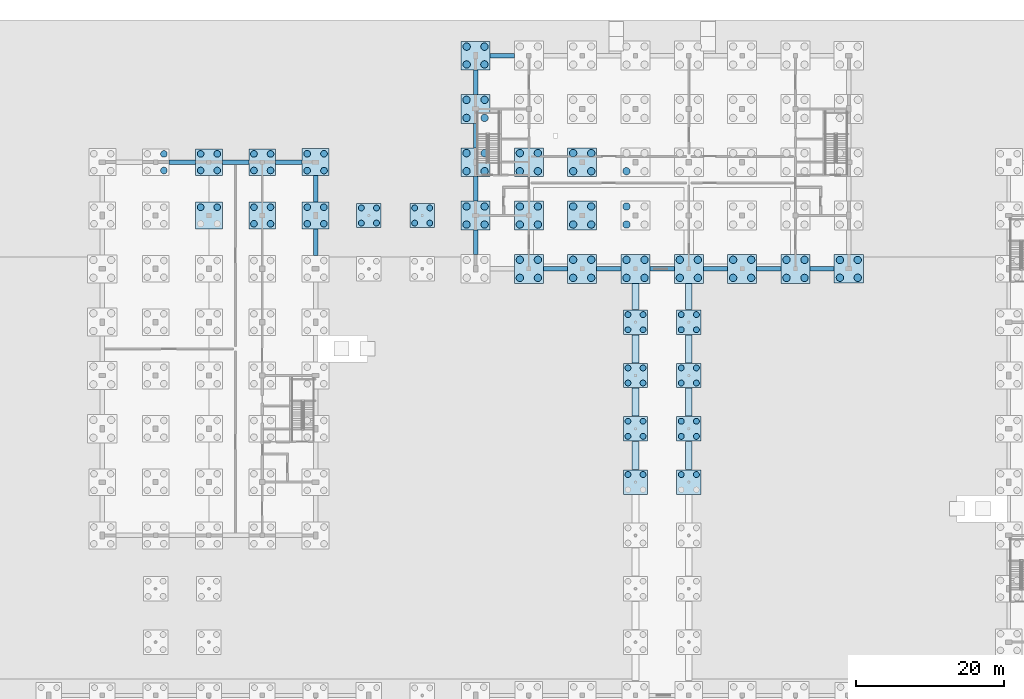
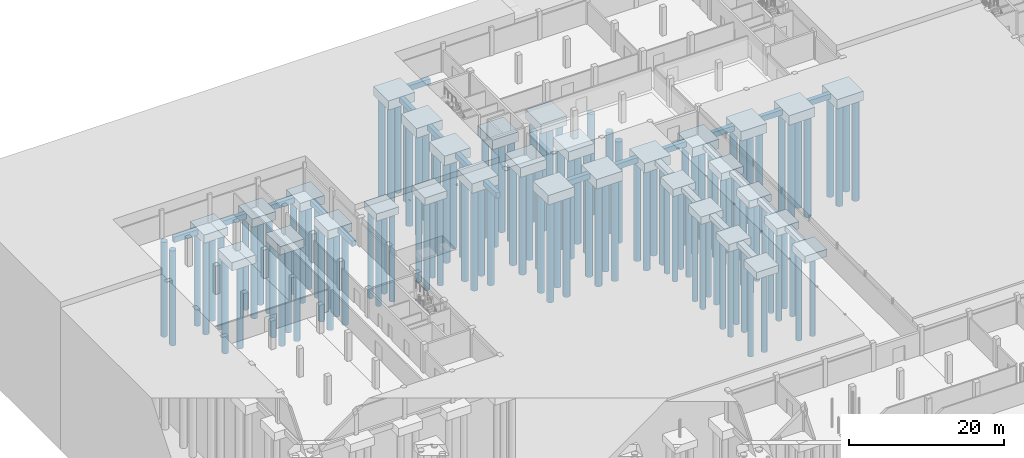
# One storey, part 5 of 51: 123 piles, 55 footings.
"""IFC4 building model written with IfcOpenShell, lengths in metres."""

from ifc_helpers import new_model, si_unit, direction, frame, origin, origin_2d, place, context, subcontext, project, spatial, rectangle, circle, extrude, material, material_profile, profile_set, type_object, element, save


model = new_model("IFC4")

# Units and contexts
model_context = context("Model", 3, precision=1e-05, world=origin(), true_north=direction((0.0, 1.0)))
body_context = subcontext(model_context, "Body", "Model", "MODEL_VIEW")
ifc_project = project(units=[si_unit("LENGTHUNIT", "METRE"), si_unit("AREAUNIT", "SQUARE_METRE"), si_unit("VOLUMEUNIT", "CUBIC_METRE"), si_unit("PLANEANGLEUNIT", "RADIAN"), si_unit("MASSUNIT", "GRAM", prefix="KILO")], contexts=[model_context])

# Site, building, storey
site_placement = place(None, origin())
site = spatial("IfcSite", under=ifc_project, at=site_placement, CompositionType="ELEMENT")
building_placement = place(site_placement, origin())
building = spatial("IfcBuilding", under=site, at=building_placement, Name="Zlatovets Crest Museum", CompositionType="ELEMENT")
storey_placement = place(building_placement, frame((0.0, 0.0, -4.5)))
storey = spatial("IfcBuildingStorey", under=building, at=storey_placement, Name="B1", CompositionType="ELEMENT", Elevation=-4.5)

# Piles
ifc_material = material(Name="Concrete C35/45", Category="concrete")
ifc_material_profile_1 = material_profile(ifc_material, circle(Radius=0.39990234375, at=origin_2d()), Name="PILE D800")
ifc_profile_set_1 = profile_set([ifc_material_profile_1], Name="Concrete C35/45")
pile_type_1 = type_object("IfcPileType", Name="BoredPile_PL-01", PredefinedType="BORED", material=ifc_profile_set_1)
for number, where, z_axis, x_axis, name in (
    (1, (42.179931640625, 92.580078125, -1.39990234375), (0.0, 0.0, -1.0), (1.0, 0.0, 0.0), "Bored pile PL-01 BR3-S1T1.1"),
    (2, (42.179931640625, 94.6201171875, -1.39990234375), (0.0, 0.0, -1.0), (1.0, 0.0, 0.0), "Bored pile PL-01 BR3-S1T1.2"),
    (3, (44.219970703125, 92.580078125, -1.39990234375), (0.0, 0.0, -1.0), (1.0, 0.0, 0.0), "Bored pile PL-01 BR3-S1T1.3"),
    (4, (44.219970703125, 94.6201171875, -1.39990234375), (0.0, 0.0, -1.0), (1.0, 0.0, 0.0), "Bored pile PL-01 BR3-S1T1.4"),
    (5, (49.3798828125, 92.580078125, -1.39990234375), (0.0, 0.0, -1.0), (1.0, 0.0, 0.0), "Bored pile PL-01 BR3-S2T1.1"),
    (6, (49.3798828125, 94.6201171875, -1.39990234375), (0.0, 0.0, -1.0), (1.0, 0.0, 0.0), "Bored pile PL-01 BR3-S2T1.2"),
    (7, (51.419921875, 92.580078125, -1.39990234375), (0.0, 0.0, -1.0), (1.0, 0.0, 0.0), "Bored pile PL-01 BR3-S2T1.3"),
    (8, (51.419921875, 94.6201171875, -1.39990234375), (0.0, 0.0, -1.0), (1.0, 0.0, 0.0), "Bored pile PL-01 BR3-S2T1.4"),
    (9, (78.179931640625, 58.6201171875, -1.39990234375), (0.0, 0.0, -1.0), (1.0, 0.0, 0.0), "Bored pile PL-01 BR5-S4T0.2"),
    (10, (80.219970703125, 58.6201171875, -1.39990234375), (0.0, 0.0, -1.0), (1.0, 0.0, 0.0), "Bored pile PL-01 BR5-S4T0.4"),
    (11, (85.3798828125, 58.6201171875, -1.39990234375), (0.0, 0.0, -1.0), (1.0, 0.0, 0.0), "Bored pile PL-01 BR5-S4T1.2"),
    (12, (87.419921875, 58.6201171875, -1.39990234375), (0.0, 0.0, -1.0), (1.0, 0.0, 0.0), "Bored pile PL-01 BR5-S4T1.4"),
    (13, (78.179931640625, 63.780029296875, -1.39990234375), (0.0, 0.0, -1.0), (1.0, 0.0, 0.0), "Bored pile PL-01 BR5-S5T0.1"),
    (14, (78.179931640625, 65.820068359375, -1.39990234375), (0.0, 0.0, -1.0), (1.0, 0.0, 0.0), "Bored pile PL-01 BR5-S5T0.2"),
    (15, (80.219970703125, 63.780029296875, -1.39990234375), (0.0, 0.0, -1.0), (1.0, 0.0, 0.0), "Bored pile PL-01 BR5-S5T0.3"),
    (16, (80.219970703125, 65.820068359375, -1.39990234375), (0.0, 0.0, -1.0), (1.0, 0.0, 0.0), "Bored pile PL-01 BR5-S5T0.4"),
    (17, (85.3798828125, 63.780029296875, -1.39990234375), (0.0, 0.0, -1.0), (1.0, 0.0, 0.0), "Bored pile PL-01 BR5-S5T1.1"),
    (18, (85.3798828125, 65.820068359375, -1.39990234375), (0.0, 0.0, -1.0), (1.0, 0.0, 0.0), "Bored pile PL-01 BR5-S5T1.2"),
    (19, (87.419921875, 63.780029296875, -1.39990234375), (0.0, 0.0, -1.0), (1.0, 0.0, 0.0), "Bored pile PL-01 BR5-S5T1.3"),
    (20, (87.419921875, 65.820068359375, -1.39990234375), (0.0, 0.0, -1.0), (1.0, 0.0, 0.0), "Bored pile PL-01 BR5-S5T1.4"),
    (21, (78.179931640625, 70.97998046875, -1.39990234375), (0.0, 0.0, -1.0), (1.0, 0.0, 0.0), "Bored pile PL-01 BR5-S6T0.1"),
    (22, (78.179931640625, 73.02001953125, -1.39990234375), (0.0, 0.0, -1.0), (1.0, 0.0, 0.0), "Bored pile PL-01 BR5-S6T0.2"),
    (23, (80.219970703125, 70.97998046875, -1.39990234375), (0.0, 0.0, -1.0), (1.0, 0.0, 0.0), "Bored pile PL-01 BR5-S6T0.3"),
    (24, (80.219970703125, 73.02001953125, -1.39990234375), (0.0, 0.0, -1.0), (1.0, 0.0, 0.0), "Bored pile PL-01 BR5-S6T0.4"),
    (25, (85.3798828125, 70.97998046875, -1.39990234375), (0.0, 0.0, -1.0), (1.0, 0.0, 0.0), "Bored pile PL-01 BR5-S6T1.1"),
    (26, (85.3798828125, 73.02001953125, -1.39990234375), (0.0, 0.0, -1.0), (1.0, 0.0, 0.0), "Bored pile PL-01 BR5-S6T1.2"),
    (27, (87.419921875, 70.97998046875, -1.39990234375), (0.0, 0.0, -1.0), (1.0, 0.0, 0.0), "Bored pile PL-01 BR5-S6T1.3"),
    (28, (87.419921875, 73.02001953125, -1.39990234375), (0.0, 0.0, -1.0), (1.0, 0.0, 0.0), "Bored pile PL-01 BR5-S6T1.4"),
    (29, (78.179931640625, 78.179931640625, -1.39990234375), (0.0, 0.0, -1.0), (1.0, 0.0, 0.0), "Bored pile PL-01 BR5-S7T0.1"),
    (30, (78.179931640625, 80.219970703125, -1.39990234375), (0.0, 0.0, -1.0), (1.0, 0.0, 0.0), "Bored pile PL-01 BR5-S7T0.2"),
    (31, (80.219970703125, 78.179931640625, -1.39990234375), (0.0, 0.0, -1.0), (1.0, 0.0, 0.0), "Bored pile PL-01 BR5-S7T0.3"),
    (32, (80.219970703125, 80.219970703125, -1.39990234375), (0.0, 0.0, -1.0), (1.0, 0.0, 0.0), "Bored pile PL-01 BR5-S7T0.4"),
    (33, (85.3798828125, 78.179931640625, -1.39990234375), (0.0, 0.0, -1.0), (1.0, 0.0, 0.0), "Bored pile PL-01 BR5-S7T1.1"),
    (34, (85.3798828125, 80.219970703125, -1.39990234375), (0.0, 0.0, -1.0), (1.0, 0.0, 0.0), "Bored pile PL-01 BR5-S7T1.2"),
    (35, (87.419921875, 78.179931640625, -1.39990234375), (0.0, 0.0, -1.0), (1.0, 0.0, 0.0), "Bored pile PL-01 BR5-S7T1.3"),
    (36, (87.419921875, 80.219970703125, -1.39990234375), (0.0, 0.0, -1.0), (1.0, 0.0, 0.0), "Bored pile PL-01 BR5-S7T1.4"),
):
    element("IfcPile", number, at=place(storey_placement, frame(where, z_axis=z_axis, x_axis=x_axis)), inside=storey, type_object=pile_type_1, Name=name, PredefinedType="BORED", context=body_context, shape_type="SweptSolid", body=[
        extrude(circle(Radius=0.39990234375, at=origin_2d()), origin(), (0.0, 0.0, 1.0), 14.0),
    ])
ifc_material_profile_2 = material_profile(ifc_material, circle(Radius=0.449951171875, at=origin_2d()), Name="PILE D900")
ifc_profile_set_2 = profile_set([ifc_material_profile_2], Name="Concrete C35/45")
pile_type_2 = type_object("IfcPileType", Name="BoredPile_PL-02", PredefinedType="BORED", material=ifc_profile_set_2)
for number, where, z_axis, x_axis, name in (
    (37, (15.52001953125, 99.679931640625, -1.550048828125), (0.0, 0.0, -1.0), (1.0, 0.0, 0.0), "Bored pile PL-02 V4-X01Y07.3"),
    (38, (15.52001953125, 101.919921875, -1.550048828125), (0.0, 0.0, -1.0), (1.0, 0.0, 0.0), "Bored pile PL-02 V4-X01Y07.4"),
    (39, (20.47998046875, 94.719970703125, -1.550048828125), (0.0, 0.0, -1.0), (1.0, 0.0, 0.0), "Bored pile PL-02 V4-X02Y06.2"),
    (40, (22.719970703125, 94.719970703125, -1.550048828125), (0.0, 0.0, -1.0), (1.0, 0.0, 0.0), "Bored pile PL-02 V4-X02Y06.4"),
    (41, (20.47998046875, 99.679931640625, -1.550048828125), (0.0, 0.0, -1.0), (1.0, 0.0, 0.0), "Bored pile PL-02 V4-X02Y07.1"),
    (42, (20.47998046875, 101.919921875, -1.550048828125), (0.0, 0.0, -1.0), (1.0, 0.0, 0.0), "Bored pile PL-02 V4-X02Y07.2"),
    (43, (22.719970703125, 99.679931640625, -1.550048828125), (0.0, 0.0, -1.0), (1.0, 0.0, 0.0), "Bored pile PL-02 V4-X02Y07.3"),
    (44, (22.719970703125, 101.919921875, -1.550048828125), (0.0, 0.0, -1.0), (1.0, 0.0, 0.0), "Bored pile PL-02 V4-X02Y07.4"),
    (45, (27.679931640625, 92.47998046875, -1.550048828125), (0.0, 0.0, -1.0), (1.0, 0.0, 0.0), "Bored pile PL-02 V4-X03Y06.1"),
    (46, (27.679931640625, 94.719970703125, -1.550048828125), (0.0, 0.0, -1.0), (1.0, 0.0, 0.0), "Bored pile PL-02 V4-X03Y06.2"),
    (47, (29.919921875, 92.47998046875, -1.550048828125), (0.0, 0.0, -1.0), (1.0, 0.0, 0.0), "Bored pile PL-02 V4-X03Y06.3"),
    (48, (29.919921875, 94.719970703125, -1.550048828125), (0.0, 0.0, -1.0), (1.0, 0.0, 0.0), "Bored pile PL-02 V4-X03Y06.4"),
    (49, (27.679931640625, 99.679931640625, -1.550048828125), (0.0, 0.0, -1.0), (1.0, 0.0, 0.0), "Bored pile PL-02 V4-X03Y07.1"),
    (50, (27.679931640625, 101.919921875, -1.550048828125), (0.0, 0.0, -1.0), (1.0, 0.0, 0.0), "Bored pile PL-02 V4-X03Y07.2"),
    (51, (29.919921875, 99.679931640625, -1.550048828125), (0.0, 0.0, -1.0), (1.0, 0.0, 0.0), "Bored pile PL-02 V4-X03Y07.3"),
    (52, (29.919921875, 101.919921875, -1.550048828125), (0.0, 0.0, -1.0), (1.0, 0.0, 0.0), "Bored pile PL-02 V4-X03Y07.4"),
    (53, (34.8798828125, 92.47998046875, -1.550048828125), (0.0, 0.0, -1.0), (1.0, 0.0, 0.0), "Bored pile PL-02 V4-X04Y06.1"),
    (54, (34.8798828125, 94.719970703125, -1.550048828125), (0.0, 0.0, -1.0), (1.0, 0.0, 0.0), "Bored pile PL-02 V4-X04Y06.2"),
    (55, (37.1201171875, 92.47998046875, -1.550048828125), (0.0, 0.0, -1.0), (1.0, 0.0, 0.0), "Bored pile PL-02 V4-X04Y06.3"),
    (56, (37.1201171875, 94.719970703125, -1.550048828125), (0.0, 0.0, -1.0), (1.0, 0.0, 0.0), "Bored pile PL-02 V4-X04Y06.4"),
    (57, (34.860107421875, 99.659912109375, -1.60009765625), (0.0, 0.0, -1.0), (1.0, 0.0, 0.0), "Bored pile PL-02 V4-X04Y07.1"),
    (58, (34.860107421875, 101.93994140625, -1.60009765625), (0.0, 0.0, -1.0), (1.0, 0.0, 0.0), "Bored pile PL-02 V4-X04Y07.2"),
    (59, (37.139892578125, 99.659912109375, -1.60009765625), (0.0, 0.0, -1.0), (1.0, 0.0, 0.0), "Bored pile PL-02 V4-X04Y07.3"),
    (60, (37.139892578125, 101.93994140625, -1.60009765625), (0.0, 0.0, -1.0), (1.0, 0.0, 0.0), "Bored pile PL-02 V4-X04Y07.4"),
):
    element("IfcPile", number, at=place(storey_placement, frame(where, z_axis=z_axis, x_axis=x_axis)), inside=storey, type_object=pile_type_2, Name=name, PredefinedType="BORED", context=body_context, shape_type="SweptSolid", body=[
        extrude(circle(Radius=0.449951171875, at=origin_2d()), origin(), (0.0, 0.0, 1.0), 15.0),
    ])
ifc_material_profile_3 = material_profile(ifc_material, circle(Radius=0.5, at=origin_2d()), Name="PILE D1000")
ifc_profile_set_3 = profile_set([ifc_material_profile_3], Name="Concrete C35/45")
pile_type_3 = type_object("IfcPileType", Name="BoredPile_PL-03", PredefinedType="BORED", material=ifc_profile_set_3)
for number, where, z_axis, x_axis, name in (
    (61, (56.3798828125, 92.3798828125, -1.75), (0.0, 0.0, -1.0), (1.0, 0.0, 0.0), "Bored pile PL-03 V1-X00Y01.1"),
    (62, (56.3798828125, 94.820068359375, -1.75), (0.0, 0.0, -1.0), (1.0, 0.0, 0.0), "Bored pile PL-03 V1-X00Y01.2"),
    (63, (58.820068359375, 92.3798828125, -1.75), (0.0, 0.0, -1.0), (1.0, 0.0, 0.0), "Bored pile PL-03 V1-X00Y01.3"),
    (64, (58.820068359375, 94.820068359375, -1.75), (0.0, 0.0, -1.0), (1.0, 0.0, 0.0), "Bored pile PL-03 V1-X00Y01.4"),
    (65, (56.3798828125, 99.580078125, -1.75), (0.0, 0.0, -1.0), (1.0, 0.0, 0.0), "Bored pile PL-03 V1-X00Y02.1"),
    (66, (56.3798828125, 102.02001953125, -1.75), (0.0, 0.0, -1.0), (1.0, 0.0, 0.0), "Bored pile PL-03 V1-X00Y02.2"),
    (67, (58.820068359375, 99.580078125, -1.75), (0.0, 0.0, -1.0), (1.0, 0.0, 0.0), "Bored pile PL-03 V1-X00Y02.3"),
    (68, (58.820068359375, 102.02001953125, -1.75), (0.0, 0.0, -1.0), (1.0, 0.0, 0.0), "Bored pile PL-03 V1-X00Y02.4"),
    (69, (56.3798828125, 106.780029296875, -1.75), (0.0, 0.0, -1.0), (1.0, 0.0, 0.0), "Bored pile PL-03 V1-X00Y03.1"),
    (70, (56.3798828125, 109.219970703125, -1.75), (0.0, 0.0, -1.0), (1.0, 0.0, 0.0), "Bored pile PL-03 V1-X00Y03.2"),
    (71, (58.820068359375, 106.780029296875, -1.75), (0.0, 0.0, -1.0), (1.0, 0.0, 0.0), "Bored pile PL-03 V1-X00Y03.3"),
    (72, (58.820068359375, 109.219970703125, -1.75), (0.0, 0.0, -1.0), (1.0, 0.0, 0.0), "Bored pile PL-03 V1-X00Y03.4"),
    (73, (56.39990234375, 114.0, -1.699951171875), (0.0, 0.0, -1.0), (1.0, 0.0, 0.0), "Bored pile PL-03 V1-X00Y04.1"),
    (74, (56.39990234375, 116.39990234375, -1.699951171875), (0.0, 0.0, -1.0), (1.0, 0.0, 0.0), "Bored pile PL-03 V1-X00Y04.2"),
    (75, (58.800048828125, 114.0, -1.699951171875), (0.0, 0.0, -1.0), (1.0, 0.0, 0.0), "Bored pile PL-03 V1-X00Y04.3"),
    (76, (58.800048828125, 116.39990234375, -1.699951171875), (0.0, 0.0, -1.0), (1.0, 0.0, 0.0), "Bored pile PL-03 V1-X00Y04.4"),
    (77, (63.580078125, 85.179931640625, -1.75), (0.0, 0.0, -1.0), (1.0, 0.0, 0.0), "Bored pile PL-03 V1-X01Y00.1"),
    (78, (63.580078125, 87.6201171875, -1.75), (0.0, 0.0, -1.0), (1.0, 0.0, 0.0), "Bored pile PL-03 V1-X01Y00.2"),
    (79, (66.02001953125, 85.179931640625, -1.75), (0.0, 0.0, -1.0), (1.0, 0.0, 0.0), "Bored pile PL-03 V1-X01Y00.3"),
    (80, (66.02001953125, 87.6201171875, -1.75), (0.0, 0.0, -1.0), (1.0, 0.0, 0.0), "Bored pile PL-03 V1-X01Y00.4"),
    (81, (63.580078125, 92.3798828125, -1.75), (0.0, 0.0, -1.0), (1.0, 0.0, 0.0), "Bored pile PL-03 V1-X01Y01.1"),
    (82, (63.580078125, 94.820068359375, -1.75), (0.0, 0.0, -1.0), (1.0, 0.0, 0.0), "Bored pile PL-03 V1-X01Y01.2"),
    (83, (66.02001953125, 92.3798828125, -1.75), (0.0, 0.0, -1.0), (1.0, 0.0, 0.0), "Bored pile PL-03 V1-X01Y01.3"),
    (84, (66.02001953125, 94.820068359375, -1.75), (0.0, 0.0, -1.0), (1.0, 0.0, 0.0), "Bored pile PL-03 V1-X01Y01.4"),
    (85, (63.580078125, 99.580078125, -1.75), (0.0, 0.0, -1.0), (1.0, 0.0, 0.0), "Bored pile PL-03 V1-X01Y02.1"),
    (86, (63.580078125, 102.02001953125, -1.75), (0.0, 0.0, -1.0), (1.0, 0.0, 0.0), "Bored pile PL-03 V1-X01Y02.2"),
    (87, (66.02001953125, 99.580078125, -1.75), (0.0, 0.0, -1.0), (1.0, 0.0, 0.0), "Bored pile PL-03 V1-X01Y02.3"),
    (88, (66.02001953125, 102.02001953125, -1.75), (0.0, 0.0, -1.0), (1.0, 0.0, 0.0), "Bored pile PL-03 V1-X01Y02.4"),
    (89, (70.780029296875, 85.179931640625, -1.75), (0.0, 0.0, -1.0), (1.0, 0.0, 0.0), "Bored pile PL-03 V1-X02Y00.1"),
    (90, (70.780029296875, 87.6201171875, -1.75), (0.0, 0.0, -1.0), (1.0, 0.0, 0.0), "Bored pile PL-03 V1-X02Y00.2"),
    (91, (73.219970703125, 85.179931640625, -1.75), (0.0, 0.0, -1.0), (1.0, 0.0, 0.0), "Bored pile PL-03 V1-X02Y00.3"),
    (92, (73.219970703125, 87.6201171875, -1.75), (0.0, 0.0, -1.0), (1.0, 0.0, 0.0), "Bored pile PL-03 V1-X02Y00.4"),
    (93, (70.780029296875, 92.3798828125, -1.75), (0.0, 0.0, -1.0), (1.0, 0.0, 0.0), "Bored pile PL-03 V1-X02Y01.1"),
    (94, (70.780029296875, 94.820068359375, -1.75), (0.0, 0.0, -1.0), (1.0, 0.0, 0.0), "Bored pile PL-03 V1-X02Y01.2"),
    (95, (73.219970703125, 92.3798828125, -1.75), (0.0, 0.0, -1.0), (1.0, 0.0, 0.0), "Bored pile PL-03 V1-X02Y01.3"),
    (96, (73.219970703125, 94.820068359375, -1.75), (0.0, 0.0, -1.0), (1.0, 0.0, 0.0), "Bored pile PL-03 V1-X02Y01.4"),
    (97, (70.780029296875, 99.580078125, -1.75), (0.0, 0.0, -1.0), (1.0, 0.0, 0.0), "Bored pile PL-03 V1-X02Y02.1"),
    (98, (70.780029296875, 102.02001953125, -1.75), (0.0, 0.0, -1.0), (1.0, 0.0, 0.0), "Bored pile PL-03 V1-X02Y02.2"),
    (99, (73.219970703125, 99.580078125, -1.75), (0.0, 0.0, -1.0), (1.0, 0.0, 0.0), "Bored pile PL-03 V1-X02Y02.3"),
    (100, (73.219970703125, 102.02001953125, -1.75), (0.0, 0.0, -1.0), (1.0, 0.0, 0.0), "Bored pile PL-03 V1-X02Y02.4"),
    (101, (77.97998046875, 85.179931640625, -1.75), (0.0, 0.0, -1.0), (1.0, 0.0, 0.0), "Bored pile PL-03 V1-X03Y00.1"),
    (102, (77.97998046875, 87.6201171875, -1.75), (0.0, 0.0, -1.0), (1.0, 0.0, 0.0), "Bored pile PL-03 V1-X03Y00.2"),
    (103, (80.419921875, 85.179931640625, -1.75), (0.0, 0.0, -1.0), (1.0, 0.0, 0.0), "Bored pile PL-03 V1-X03Y00.3"),
    (104, (80.419921875, 87.6201171875, -1.75), (0.0, 0.0, -1.0), (1.0, 0.0, 0.0), "Bored pile PL-03 V1-X03Y00.4"),
    (105, (77.97998046875, 92.3798828125, -1.75), (0.0, 0.0, -1.0), (1.0, 0.0, 0.0), "Bored pile PL-03 V1-X03Y01.1"),
    (106, (77.97998046875, 94.820068359375, -1.75), (0.0, 0.0, -1.0), (1.0, 0.0, 0.0), "Bored pile PL-03 V1-X03Y01.2"),
    (107, (77.97998046875, 99.580078125, -1.75), (0.0, 0.0, -1.0), (1.0, 0.0, 0.0), "Bored pile PL-03 V1-X03Y02.1"),
    (108, (85.179931640625, 85.179931640625, -1.75), (0.0, 0.0, -1.0), (1.0, 0.0, 0.0), "Bored pile PL-03 V1-X04Y00.1"),
    (109, (85.179931640625, 87.6201171875, -1.75), (0.0, 0.0, -1.0), (1.0, 0.0, 0.0), "Bored pile PL-03 V1-X04Y00.2"),
    (110, (87.6201171875, 85.179931640625, -1.75), (0.0, 0.0, -1.0), (1.0, 0.0, 0.0), "Bored pile PL-03 V1-X04Y00.3"),
    (111, (87.6201171875, 87.6201171875, -1.75), (0.0, 0.0, -1.0), (1.0, 0.0, 0.0), "Bored pile PL-03 V1-X04Y00.4"),
    (112, (92.3798828125, 85.179931640625, -1.75), (0.0, 0.0, -1.0), (1.0, 0.0, 0.0), "Bored pile PL-03 V1-X05Y00.1"),
    (113, (92.3798828125, 87.6201171875, -1.75), (0.0, 0.0, -1.0), (1.0, 0.0, 0.0), "Bored pile PL-03 V1-X05Y00.2"),
    (114, (94.820068359375, 85.179931640625, -1.75), (0.0, 0.0, -1.0), (1.0, 0.0, 0.0), "Bored pile PL-03 V1-X05Y00.3"),
    (115, (94.820068359375, 87.6201171875, -1.75), (0.0, 0.0, -1.0), (1.0, 0.0, 0.0), "Bored pile PL-03 V1-X05Y00.4"),
    (116, (99.580078125, 85.179931640625, -1.75), (0.0, 0.0, -1.0), (1.0, 0.0, 0.0), "Bored pile PL-03 V1-X06Y00.1"),
    (117, (99.580078125, 87.6201171875, -1.75), (0.0, 0.0, -1.0), (1.0, 0.0, 0.0), "Bored pile PL-03 V1-X06Y00.2"),
    (118, (102.02001953125, 85.179931640625, -1.75), (0.0, 0.0, -1.0), (1.0, 0.0, 0.0), "Bored pile PL-03 V1-X06Y00.3"),
    (119, (102.02001953125, 87.6201171875, -1.75), (0.0, 0.0, -1.0), (1.0, 0.0, 0.0), "Bored pile PL-03 V1-X06Y00.4"),
    (120, (106.800048828125, 85.199951171875, -1.699951171875), (0.0, 0.0, -1.0), (1.0, 0.0, 0.0), "Bored pile PL-03 V1-X07Y00.1"),
    (121, (106.800048828125, 87.60009765625, -1.699951171875), (0.0, 0.0, -1.0), (1.0, 0.0, 0.0), "Bored pile PL-03 V1-X07Y00.2"),
    (122, (109.199951171875, 85.199951171875, -1.699951171875), (0.0, 0.0, -1.0), (1.0, 0.0, 0.0), "Bored pile PL-03 V1-X07Y00.3"),
    (123, (109.199951171875, 87.60009765625, -1.699951171875), (0.0, 0.0, -1.0), (1.0, 0.0, 0.0), "Bored pile PL-03 V1-X07Y00.4"),
):
    element("IfcPile", number, at=place(storey_placement, frame(where, z_axis=z_axis, x_axis=x_axis)), inside=storey, type_object=pile_type_3, Name=name, PredefinedType="BORED", context=body_context, shape_type="SweptSolid", body=[
        extrude(circle(Radius=0.5, at=origin_2d()), origin(), (0.0, 0.0, 1.0), 16.0),
    ])

# Footings
ifc_material_profile_4 = material_profile(ifc_material, rectangle(XDim=0.60009765625, YDim=0.85009765625, at=origin_2d()), Name="RC 600x850")
ifc_profile_set_4 = profile_set([ifc_material_profile_4], Name="Concrete C35/45")
footing_type_1 = type_object("IfcFootingType", Name="GroundBeam_GB-02", PredefinedType="FOOTING_BEAM", material=ifc_profile_set_4)
for number, where, z_axis, x_axis, name in (
    (124, (66.75, 86.39990234375, -0.875), (1.0, 0.0, 0.0), (0.0, 1.0, 0.0), "Ground tie-beam GB-02"),
    (125, (73.949951171875, 86.39990234375, -0.875), (1.0, 0.0, 0.0), (0.0, 1.0, 0.0), "Ground tie-beam GB-02"),
    (126, (81.14990234375, 86.39990234375, -0.875), (1.0, 0.0, 0.0), (0.0, 1.0, 0.0), "Ground tie-beam GB-02"),
):
    element("IfcFooting", number, at=place(storey_placement, frame(where, z_axis=z_axis, x_axis=x_axis)), inside=storey, type_object=footing_type_1, Name=name, PredefinedType="FOOTING_BEAM", context=body_context, shape_type="SweptSolid", body=[
        extrude(rectangle(XDim=0.60009765625, YDim=0.85009765625, at=origin_2d()), origin(), (0.0, 0.0, 1.0), 3.300048828125),
    ])
footing_1_placement = place(storey_placement, frame((88.35009765625, 86.39990234375, -0.875), z_axis=(1.0, 0.0, 0.0), x_axis=(0.0, 1.0, 0.0)))
element("IfcFooting", 127, at=footing_1_placement, inside=storey, type_object=footing_type_1, Name="Ground tie-beam GB-02", PredefinedType="FOOTING_BEAM", context=body_context, shape_type="SweptSolid", body=[
    extrude(rectangle(XDim=0.60009765625, YDim=0.85009765625, at=origin_2d()), origin(), (0.0, 0.0, 1.0), 3.2998046875),
])
footing_2_placement = place(storey_placement, frame((95.550048828125, 86.39990234375, -0.875), z_axis=(1.0, 0.0, 0.0), x_axis=(0.0, 1.0, 0.0)))
element("IfcFooting", 128, at=footing_2_placement, inside=storey, type_object=footing_type_1, Name="Ground tie-beam GB-02", PredefinedType="FOOTING_BEAM", context=body_context, shape_type="SweptSolid", body=[
    extrude(rectangle(XDim=0.60009765625, YDim=0.85009765625, at=origin_2d()), origin(), (0.0, 0.0, 1.0), 3.300048828125),
])
footing_3_placement = place(storey_placement, frame((102.75, 86.39990234375, -0.875), z_axis=(1.0, 0.0, 0.0), x_axis=(0.0, 1.0, 0.0)))
element("IfcFooting", 129, at=footing_3_placement, inside=storey, type_object=footing_type_1, Name="Ground tie-beam GB-02", PredefinedType="FOOTING_BEAM", context=body_context, shape_type="SweptSolid", body=[
    extrude(rectangle(XDim=0.60009765625, YDim=0.85009765625, at=origin_2d()), origin(), (0.0, 0.0, 1.0), 3.27490234375),
])
footing_4_placement = place(storey_placement, frame((59.574951171875, 115.199951171875, -0.875), z_axis=(1.0, 0.0, 0.0), x_axis=(0.0, 1.0, 0.0)))
element("IfcFooting", 130, at=footing_4_placement, inside=storey, type_object=footing_type_1, Name="Ground tie-beam GB-02", PredefinedType="FOOTING_BEAM", context=body_context, shape_type="SweptSolid", body=[
    extrude(rectangle(XDim=0.60009765625, YDim=0.85009765625, at=origin_2d()), origin(), (0.0, 0.0, 1.0), 3.275146484375),
])
footing_5_placement = place(storey_placement, frame((57.60009765625, 88.324951171875, -0.875), z_axis=(0.0, 1.0, 0.0), x_axis=(-1.0, 0.0, 0.0)))
element("IfcFooting", 131, at=footing_5_placement, inside=storey, type_object=footing_type_1, Name="Ground tie-beam GB-02", PredefinedType="FOOTING_BEAM", context=body_context, shape_type="SweptSolid", body=[
    extrude(rectangle(XDim=0.60009765625, YDim=0.85009765625, at=origin_2d()), origin(), (0.0, 0.0, 1.0), 3.324951171875),
])
for number, where, z_axis, x_axis, name in (
    (132, (57.60009765625, 95.550048828125, -0.875), (0.0, 1.0, 0.0), (-1.0, 0.0, 0.0), "Ground tie-beam GB-02"),
    (133, (57.60009765625, 102.75, -0.875), (0.0, 1.0, 0.0), (-1.0, 0.0, 0.0), "Ground tie-beam GB-02"),
):
    element("IfcFooting", number, at=place(storey_placement, frame(where, z_axis=z_axis, x_axis=x_axis)), inside=storey, type_object=footing_type_1, Name=name, PredefinedType="FOOTING_BEAM", context=body_context, shape_type="SweptSolid", body=[
        extrude(rectangle(XDim=0.60009765625, YDim=0.85009765625, at=origin_2d()), origin(), (0.0, 0.0, 1.0), 3.300048828125),
    ])
footing_6_placement = place(storey_placement, frame((57.60009765625, 109.949951171875, -0.875), z_axis=(0.0, 1.0, 0.0), x_axis=(-1.0, 0.0, 0.0)))
element("IfcFooting", 134, at=footing_6_placement, inside=storey, type_object=footing_type_1, Name="Ground tie-beam GB-02", PredefinedType="FOOTING_BEAM", context=body_context, shape_type="SweptSolid", body=[
    extrude(rectangle(XDim=0.60009765625, YDim=0.85009765625, at=origin_2d()), origin(), (0.0, 0.0, 1.0), 3.324951171875),
])
for number, where, z_axis, x_axis, name in (
    (135, (16.199951171875, 100.800048828125, -0.875), (1.0, 0.0, 0.0), (0.0, 1.0, 0.0), "Ground tie-beam GB-02"),
    (136, (23.39990234375, 100.800048828125, -0.875), (1.0, 0.0, 0.0), (0.0, 1.0, 0.0), "Ground tie-beam GB-02"),
):
    element("IfcFooting", number, at=place(storey_placement, frame(where, z_axis=z_axis, x_axis=x_axis)), inside=storey, type_object=footing_type_1, Name=name, PredefinedType="FOOTING_BEAM", context=body_context, shape_type="SweptSolid", body=[
        extrude(rectangle(XDim=0.60009765625, YDim=0.85009765625, at=origin_2d()), origin(), (0.0, 0.0, 1.0), 3.60009765625),
    ])
footing_7_placement = place(storey_placement, frame((30.60009765625, 100.800048828125, -0.875), z_axis=(1.0, 0.0, 0.0), x_axis=(0.0, 1.0, 0.0)))
element("IfcFooting", 137, at=footing_7_placement, inside=storey, type_object=footing_type_1, Name="Ground tie-beam GB-02", PredefinedType="FOOTING_BEAM", context=body_context, shape_type="SweptSolid", body=[
    extrude(rectangle(XDim=0.60009765625, YDim=0.85009765625, at=origin_2d()), origin(), (0.0, 0.0, 1.0), 3.574951171875),
])
footing_8_placement = place(storey_placement, frame((36.0, 88.199951171875, -0.875), z_axis=(0.0, 1.0, 0.0), x_axis=(-1.0, 0.0, 0.0)))
element("IfcFooting", 138, at=footing_8_placement, inside=storey, type_object=footing_type_1, Name="Ground tie-beam GB-02", PredefinedType="FOOTING_BEAM", context=body_context, shape_type="SweptSolid", body=[
    extrude(rectangle(XDim=0.60009765625, YDim=0.85009765625, at=origin_2d()), origin(), (0.0, 0.0, 1.0), 3.60009765625),
])
footing_9_placement = place(storey_placement, frame((36.0, 95.39990234375, -0.875), z_axis=(0.0, 1.0, 0.0), x_axis=(-1.0, 0.0, 0.0)))
element("IfcFooting", 139, at=footing_9_placement, inside=storey, type_object=footing_type_1, Name="Ground tie-beam GB-02", PredefinedType="FOOTING_BEAM", context=body_context, shape_type="SweptSolid", body=[
    extrude(rectangle(XDim=0.60009765625, YDim=0.85009765625, at=origin_2d()), origin(), (0.0, 0.0, 1.0), 3.5751953125),
])
footing_type_2 = type_object("IfcFootingType", Name="PileCap_PC-02", PredefinedType="PILE_CAP", material=ifc_material)
for number, where, z_axis, x_axis, name in (
    (140, (21.60009765625, 93.60009765625, -1.75), (0.0, 0.0, 1.0), (1.0, 0.0, 0.0), "Pile cap PC-02 at (21.6, 93.6)"),
    (141, (21.60009765625, 100.800048828125, -1.75), (0.0, 0.0, 1.0), (1.0, 0.0, 0.0), "Pile cap PC-02 at (21.6, 100.8)"),
    (142, (28.800048828125, 93.60009765625, -1.75), (0.0, 0.0, 1.0), (1.0, 0.0, 0.0), "Pile cap PC-02 at (28.8, 93.6)"),
    (143, (28.800048828125, 100.800048828125, -1.75), (0.0, 0.0, 1.0), (1.0, 0.0, 0.0), "Pile cap PC-02 at (28.8, 100.8)"),
    (144, (36.0, 93.60009765625, -1.75), (0.0, 0.0, 1.0), (1.0, 0.0, 0.0), "Pile cap PC-02 at (36.0, 93.6)"),
):
    element("IfcFooting", number, at=place(storey_placement, frame(where, z_axis=z_axis, x_axis=x_axis)), inside=storey, type_object=footing_type_2, Name=name, PredefinedType="PILE_CAP", context=body_context, shape_type="SweptSolid", body=[
        extrude(rectangle(XDim=3.60009765625, YDim=3.60009765625, at=origin_2d()), origin(), (0.0, 0.0, 1.0), 1.300048828125),
    ])
footing_type_3 = type_object("IfcFootingType", Name="PileCap_PC-04", PredefinedType="PILE_CAP", material=ifc_material)
for number, where, z_axis, x_axis, name in (
    (145, (57.60009765625, 93.60009765625, -1.949951171875), (0.0, 0.0, 1.0), (1.0, 0.0, 0.0), "Pile cap PC-04 at (57.6, 93.6)"),
    (146, (57.60009765625, 100.800048828125, -1.949951171875), (0.0, 0.0, 1.0), (1.0, 0.0, 0.0), "Pile cap PC-04 at (57.6, 100.8)"),
    (147, (57.60009765625, 108.0, -1.949951171875), (0.0, 0.0, 1.0), (1.0, 0.0, 0.0), "Pile cap PC-04 at (57.6, 108.0)"),
    (148, (64.800048828125, 86.39990234375, -1.949951171875), (0.0, 0.0, 1.0), (1.0, 0.0, 0.0), "Pile cap PC-04 at (64.8, 86.4)"),
    (149, (64.800048828125, 93.60009765625, -1.949951171875), (0.0, 0.0, 1.0), (1.0, 0.0, 0.0), "Pile cap PC-04 at (64.8, 93.6)"),
    (150, (64.800048828125, 100.800048828125, -1.949951171875), (0.0, 0.0, 1.0), (1.0, 0.0, 0.0), "Pile cap PC-04 at (64.8, 100.8)"),
    (151, (72.0, 86.39990234375, -1.949951171875), (0.0, 0.0, 1.0), (1.0, 0.0, 0.0), "Pile cap PC-04 at (72.0, 86.4)"),
    (152, (72.0, 93.60009765625, -1.949951171875), (0.0, 0.0, 1.0), (1.0, 0.0, 0.0), "Pile cap PC-04 at (72.0, 93.6)"),
    (153, (72.0, 100.800048828125, -1.949951171875), (0.0, 0.0, 1.0), (1.0, 0.0, 0.0), "Pile cap PC-04 at (72.0, 100.8)"),
    (154, (79.199951171875, 86.39990234375, -1.949951171875), (0.0, 0.0, 1.0), (1.0, 0.0, 0.0), "Pile cap PC-04 at (79.2, 86.4)"),
    (155, (86.39990234375, 86.39990234375, -1.949951171875), (0.0, 0.0, 1.0), (1.0, 0.0, 0.0), "Pile cap PC-04 at (86.4, 86.4)"),
    (156, (93.60009765625, 86.39990234375, -1.949951171875), (0.0, 0.0, 1.0), (1.0, 0.0, 0.0), "Pile cap PC-04 at (93.6, 86.4)"),
    (157, (100.800048828125, 86.39990234375, -1.949951171875), (0.0, 0.0, 1.0), (1.0, 0.0, 0.0), "Pile cap PC-04 at (100.8, 86.4)"),
):
    element("IfcFooting", number, at=place(storey_placement, frame(where, z_axis=z_axis, x_axis=x_axis)), inside=storey, type_object=footing_type_3, Name=name, PredefinedType="PILE_CAP", context=body_context, shape_type="SweptSolid", body=[
        extrude(rectangle(XDim=3.89990234375, YDim=3.89990234375, at=origin_2d()), origin(), (0.0, 0.0, 1.0), 1.5),
    ])
footing_type_4 = type_object("IfcFootingType", Name="PileCap_PC-05", PredefinedType="PILE_CAP", material=ifc_material)
for number, where, z_axis, x_axis, name in (
    (158, (43.199951171875, 93.60009765625, -1.599853515625), (0.0, 0.0, 1.0), (1.0, 0.0, 0.0), "Pile cap PC-05 at (43.2, 93.6)"),
    (159, (50.39990234375, 93.60009765625, -1.599853515625), (0.0, 0.0, 1.0), (1.0, 0.0, 0.0), "Pile cap PC-05 at (50.4, 93.6)"),
    (160, (79.199951171875, 57.60009765625, -1.599853515625), (0.0, 0.0, 1.0), (1.0, 0.0, 0.0), "Pile cap PC-05 at (79.2, 57.6)"),
    (161, (86.39990234375, 57.60009765625, -1.599853515625), (0.0, 0.0, 1.0), (1.0, 0.0, 0.0), "Pile cap PC-05 at (86.4, 57.6)"),
    (162, (79.199951171875, 64.800048828125, -1.599853515625), (0.0, 0.0, 1.0), (1.0, 0.0, 0.0), "Pile cap PC-05 at (79.2, 64.8)"),
    (163, (86.39990234375, 64.800048828125, -1.599853515625), (0.0, 0.0, 1.0), (1.0, 0.0, 0.0), "Pile cap PC-05 at (86.4, 64.8)"),
    (164, (79.199951171875, 72.0, -1.599853515625), (0.0, 0.0, 1.0), (1.0, 0.0, 0.0), "Pile cap PC-05 at (79.2, 72.0)"),
    (165, (86.39990234375, 72.0, -1.599853515625), (0.0, 0.0, 1.0), (1.0, 0.0, 0.0), "Pile cap PC-05 at (86.4, 72.0)"),
    (166, (79.199951171875, 79.199951171875, -1.599853515625), (0.0, 0.0, 1.0), (1.0, 0.0, 0.0), "Pile cap PC-05 at (79.2, 79.2)"),
    (167, (86.39990234375, 79.199951171875, -1.599853515625), (0.0, 0.0, 1.0), (1.0, 0.0, 0.0), "Pile cap PC-05 at (86.4, 79.2)"),
):
    element("IfcFooting", number, at=place(storey_placement, frame(where, z_axis=z_axis, x_axis=x_axis)), inside=storey, type_object=footing_type_4, Name=name, PredefinedType="PILE_CAP", context=body_context, shape_type="SweptSolid", body=[
        extrude(rectangle(XDim=3.300048828125, YDim=3.300048828125, at=origin_2d()), origin(), (0.0, 0.0, 1.0), 1.14990234375),
    ])
footing_type_5 = type_object("IfcFootingType", Name="PileCap_PC-08", PredefinedType="PILE_CAP", material=ifc_material)
footing_10_placement = place(storey_placement, frame((36.0, 100.800048828125, -1.800048828125), z_axis=(0.0, 0.0, 1.0), x_axis=(1.0, 0.0, 0.0)))
element("IfcFooting", 168, at=footing_10_placement, inside=storey, type_object=footing_type_5, Name="Pile cap PC-08 at (36.0, 100.8)", PredefinedType="PILE_CAP", context=body_context, shape_type="SweptSolid", body=[
    extrude(rectangle(XDim=3.64990234375, YDim=3.64990234375, at=origin_2d()), origin(), (0.0, 0.0, 1.0), 1.35009765625),
])
footing_type_6 = type_object("IfcFootingType", Name="PileCap_PC-10", PredefinedType="PILE_CAP", material=ifc_material)
for number, where, z_axis, x_axis, name in (
    (169, (57.60009765625, 115.199951171875, -1.89990234375), (0.0, 0.0, 1.0), (1.0, 0.0, 0.0), "Pile cap PC-10 at (57.6, 115.2)"),
    (170, (108.0, 86.39990234375, -1.89990234375), (0.0, 0.0, 1.0), (1.0, 0.0, 0.0), "Pile cap PC-10 at (108.0, 86.4)"),
):
    element("IfcFooting", number, at=place(storey_placement, frame(where, z_axis=z_axis, x_axis=x_axis)), inside=storey, type_object=footing_type_6, Name=name, PredefinedType="PILE_CAP", context=body_context, shape_type="SweptSolid", body=[
        extrude(rectangle(XDim=3.949951171875, YDim=3.85009765625, at=origin_2d()), origin(), (0.0, 0.0, 1.0), 1.449951171875),
    ])
ifc_material_profile_5 = material_profile(ifc_material, rectangle(XDim=0.89990234375, YDim=0.699951171875, at=origin_2d()), Name="RC 900x700")
ifc_profile_set_5 = profile_set([ifc_material_profile_5], Name="Concrete C35/45")
footing_type_7 = type_object("IfcFootingType", Name="StripFooting_SF01", PredefinedType="STRIP_FOOTING", material=ifc_profile_set_5)
for number, where, z_axis, x_axis, name in (
    (171, (79.199951171875, 59.300048828125, -0.800048828125), (0.0, 1.0, 0.0), (-1.0, 0.0, 0.0), "BR5 B1 Tunnel Strip Footing W"),
    (172, (79.199951171875, 66.5, -0.800048828125), (0.0, 1.0, 0.0), (-1.0, 0.0, 0.0), "BR5 B1 Tunnel Strip Footing W"),
    (173, (79.199951171875, 73.699951171875, -0.800048828125), (0.0, 1.0, 0.0), (-1.0, 0.0, 0.0), "BR5 B1 Tunnel Strip Footing W"),
):
    element("IfcFooting", number, at=place(storey_placement, frame(where, z_axis=z_axis, x_axis=x_axis)), inside=storey, type_object=footing_type_7, Name=name, PredefinedType="STRIP_FOOTING", context=body_context, shape_type="SweptSolid", body=[
        extrude(rectangle(XDim=0.89990234375, YDim=0.699951171875, at=origin_2d()), origin(), (0.0, 0.0, 1.0), 3.800048828125),
    ])
footing_11_placement = place(storey_placement, frame((79.199951171875, 80.89990234375, -0.800048828125), z_axis=(0.0, 1.0, 0.0), x_axis=(-1.0, 0.0, 0.0)))
element("IfcFooting", 174, at=footing_11_placement, inside=storey, type_object=footing_type_7, Name="BR5 B1 Tunnel Strip Footing W", PredefinedType="STRIP_FOOTING", context=body_context, shape_type="SweptSolid", body=[
    extrude(rectangle(XDim=0.89990234375, YDim=0.699951171875, at=origin_2d()), origin(), (0.0, 0.0, 1.0), 3.5),
])
for number, where, z_axis, x_axis, name in (
    (175, (86.39990234375, 59.300048828125, -0.800048828125), (0.0, 1.0, 0.0), (-1.0, 0.0, 0.0), "BR5 B1 Tunnel Strip Footing E"),
    (176, (86.39990234375, 66.5, -0.800048828125), (0.0, 1.0, 0.0), (-1.0, 0.0, 0.0), "BR5 B1 Tunnel Strip Footing E"),
    (177, (86.39990234375, 73.699951171875, -0.800048828125), (0.0, 1.0, 0.0), (-1.0, 0.0, 0.0), "BR5 B1 Tunnel Strip Footing E"),
):
    element("IfcFooting", number, at=place(storey_placement, frame(where, z_axis=z_axis, x_axis=x_axis)), inside=storey, type_object=footing_type_7, Name=name, PredefinedType="STRIP_FOOTING", context=body_context, shape_type="SweptSolid", body=[
        extrude(rectangle(XDim=0.89990234375, YDim=0.699951171875, at=origin_2d()), origin(), (0.0, 0.0, 1.0), 3.800048828125),
    ])
footing_12_placement = place(storey_placement, frame((86.39990234375, 80.89990234375, -0.800048828125), z_axis=(0.0, 1.0, 0.0), x_axis=(-1.0, 0.0, 0.0)))
element("IfcFooting", 178, at=footing_12_placement, inside=storey, type_object=footing_type_7, Name="BR5 B1 Tunnel Strip Footing E", PredefinedType="STRIP_FOOTING", context=body_context, shape_type="SweptSolid", body=[
    extrude(rectangle(XDim=0.89990234375, YDim=0.699951171875, at=origin_2d()), origin(), (0.0, 0.0, 1.0), 3.5),
])

save(model, "model.ifc")
